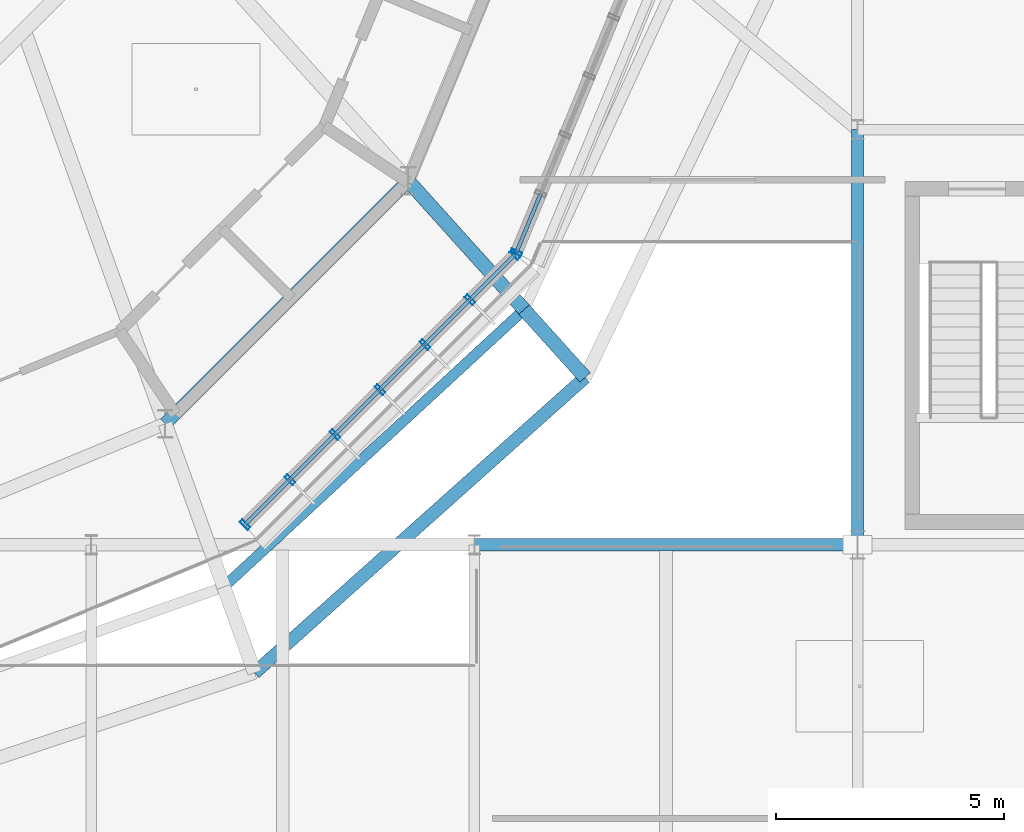
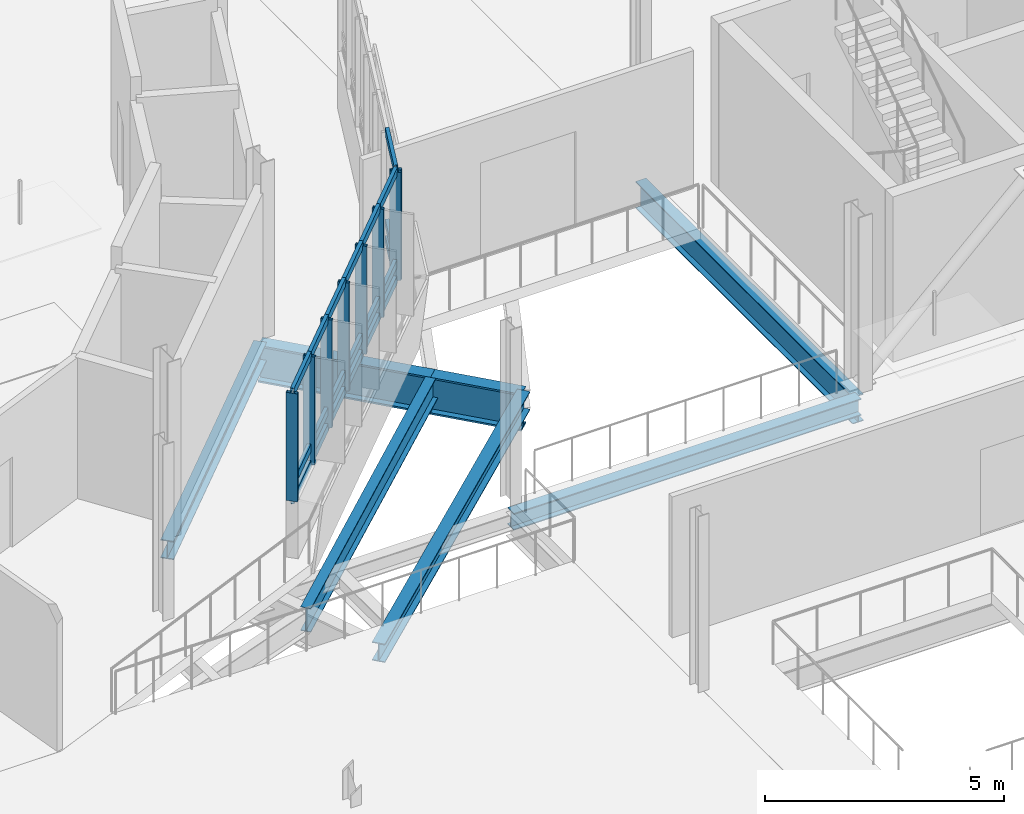
# One storey, part 31 of 139: 29 members, 7 beams, 2 elements without a shape of their own.
"""IFC4 building model written with IfcOpenShell, lengths in metres."""

from ifc_helpers import new_model, si_unit, derived_unit, direction, frame, origin, origin_2d, place, context, subcontext, project, spatial, hollow_rectangle, i_section, extrude, material, layer, layer_set, material_profile, profile_set, type_object, element, aggregate, save


model = new_model("IFC4")

# Units and contexts
model_context = context("Model", 3, precision=1e-05, world=origin(), true_north=direction((0.0, 1.0)))
body_context = subcontext(model_context, "Body", "Model", "MODEL_VIEW")
ifc_project = project(units=[si_unit("LENGTHUNIT", "METRE"), si_unit("AREAUNIT", "SQUARE_METRE"), si_unit("VOLUMEUNIT", "CUBIC_METRE"), si_unit("PLANEANGLEUNIT", "RADIAN"), si_unit("MASSUNIT", "GRAM", prefix="KILO"), derived_unit("THERMALTRANSMITTANCEUNIT", [(si_unit("MASSUNIT", "GRAM", prefix="KILO"), 1), (si_unit("TIMEUNIT", "SECOND"), -3), (si_unit("THERMODYNAMICTEMPERATUREUNIT", "KELVIN"), -1)])], contexts=[model_context])

# Site, building, storey
site_placement = place(None, origin())
site = spatial("IfcSite", under=ifc_project, at=site_placement, CompositionType="ELEMENT")
building_placement = place(site_placement, origin())
building = spatial("IfcBuilding", under=site, at=building_placement, Name="Makaiwela Harbour Ferry Terminal", CompositionType="ELEMENT")
storey_placement = place(building_placement, frame((0.0, 0.0, 5.10009765625)))
storey = spatial("IfcBuildingStorey", under=building, at=storey_placement, Name="L01", CompositionType="ELEMENT", Elevation=5.10009765625)

# Curtain wall, members
ifc_material_1 = material(Name="Marine anodised aluminium 6063-T6", Category="aluminium")
ifc_layer = layer(ifc_material_1, 0.199951171875)
ifc_layer_set = layer_set([ifc_layer], Name="Marine anodised aluminium 6063-T6")
curtain_wall_type = type_object("IfcCurtainWallType", Name="ENV-CW-03", PredefinedType="USERDEFINED", material=ifc_layer_set)
curtain_wall_1_placement = place(storey_placement, origin())
curtain_wall_1 = element("IfcCurtainWall", 1, at=curtain_wall_1_placement, inside=storey, type_object=curtain_wall_type, Name="Unitised Curtain Wall CWA-018", ObjectType="UNITIZED CURTAIN WALL", PredefinedType="USERDEFINED")
ifc_material_profile_1 = material_profile(ifc_material_1, hollow_rectangle(XDim=0.0849609375, YDim=0.25, WallThickness=0.0048828125, at=origin_2d()), Name="CWM-250X85")
ifc_profile_set_1 = profile_set([ifc_material_profile_1], Name="Marine anodised aluminium 6063-T6")
member_type_1 = type_object("IfcMemberType", Name="CW-MUL-250", PredefinedType="MULLION", material=ifc_profile_set_1)
member_1_placement = place(storey_placement, frame((49.571533203125, 49.841552734375, 1.47998046875), z_axis=(0.0, 0.0, 1.0), x_axis=(0.707106781187, 0.707106781187, 0.0)))
member_1 = element("IfcMember", 2, at=member_1_placement, type_object=member_type_1, Name="Curtain Wall Mullion CWA-018-1", PredefinedType="MULLION", context=body_context, shape_type="SweptSolid", body=[
    extrude(hollow_rectangle(XDim=0.0849609375, YDim=0.25, WallThickness=0.0048828125, at=origin_2d()), origin(), (0.0, 0.0, 1.0), 2.760009765625),
])
member_2_placement = place(storey_placement, frame((50.5576171875, 50.82763671875, 1.47998046875), z_axis=(0.0, 0.0, 1.0), x_axis=(0.707106781187, 0.707106781187, 0.0)))
member_2 = element("IfcMember", 3, at=member_2_placement, type_object=member_type_1, Name="Curtain Wall Mullion CWA-018-2", PredefinedType="MULLION", context=body_context, shape_type="SweptSolid", body=[
    extrude(hollow_rectangle(XDim=0.0849609375, YDim=0.25, WallThickness=0.0048828125, at=origin_2d()), origin(), (0.0, 0.0, 1.0), 2.760009765625),
])
member_3_placement = place(storey_placement, frame((51.543701171875, 51.813720703125, 1.47998046875), z_axis=(0.0, 0.0, 1.0), x_axis=(0.707106781187, 0.707106781187, 0.0)))
member_3 = element("IfcMember", 4, at=member_3_placement, type_object=member_type_1, Name="Curtain Wall Mullion CWA-018-3", PredefinedType="MULLION", context=body_context, shape_type="SweptSolid", body=[
    extrude(hollow_rectangle(XDim=0.0849609375, YDim=0.25, WallThickness=0.0048828125, at=origin_2d()), origin(), (0.0, 0.0, 1.0), 2.760009765625),
])
member_4_placement = place(storey_placement, frame((52.530029296875, 52.800048828125, 1.47998046875), z_axis=(0.0, 0.0, 1.0), x_axis=(0.707106781187, 0.707106781187, 0.0)))
member_4 = element("IfcMember", 5, at=member_4_placement, type_object=member_type_1, Name="Curtain Wall Mullion CWA-018-4", PredefinedType="MULLION", context=body_context, shape_type="SweptSolid", body=[
    extrude(hollow_rectangle(XDim=0.0849609375, YDim=0.25, WallThickness=0.0048828125, at=origin_2d()), origin(), (0.0, 0.0, 1.0), 2.760009765625),
])
member_5_placement = place(storey_placement, frame((53.51611328125, 53.7861328125, 1.47998046875), z_axis=(0.0, 0.0, 1.0), x_axis=(0.707106781187, 0.707106781187, 0.0)))
member_5 = element("IfcMember", 6, at=member_5_placement, type_object=member_type_1, Name="Curtain Wall Mullion CWA-018-5", PredefinedType="MULLION", context=body_context, shape_type="SweptSolid", body=[
    extrude(hollow_rectangle(XDim=0.0849609375, YDim=0.25, WallThickness=0.0048828125, at=origin_2d()), origin(), (0.0, 0.0, 1.0), 2.760009765625),
])
member_6_placement = place(storey_placement, frame((54.502197265625, 54.772216796875, 1.47998046875), z_axis=(0.0, 0.0, 1.0), x_axis=(0.707106781187, 0.707106781187, 0.0)))
member_6 = element("IfcMember", 7, at=member_6_placement, type_object=member_type_1, Name="Curtain Wall Mullion CWA-018-6", PredefinedType="MULLION", context=body_context, shape_type="SweptSolid", body=[
    extrude(hollow_rectangle(XDim=0.0849609375, YDim=0.25, WallThickness=0.0048828125, at=origin_2d()), origin(), (0.0, 0.0, 1.0), 2.760009765625),
])
member_7_placement = place(storey_placement, frame((55.488525390625, 55.758544921875, 1.47998046875), z_axis=(0.0, 0.0, 1.0), x_axis=(0.707106781187, 0.707106781187, 0.0)))
member_7 = element("IfcMember", 8, at=member_7_placement, type_object=member_type_1, Name="Curtain Wall Mullion CWA-018-7", PredefinedType="MULLION", context=body_context, shape_type="SweptSolid", body=[
    extrude(hollow_rectangle(XDim=0.0849609375, YDim=0.25, WallThickness=0.0048828125, at=origin_2d()), origin(), (0.0, 0.0, 1.0), 2.760009765625),
])

# Curtain wall, member
curtain_wall_2_placement = place(storey_placement, origin())
curtain_wall_2 = element("IfcCurtainWall", 9, at=curtain_wall_2_placement, inside=storey, type_object=curtain_wall_type, Name="Unitised Curtain Wall CWA-019", ObjectType="UNITIZED CURTAIN WALL", PredefinedType="USERDEFINED")
member_8_placement = place(storey_placement, frame((55.521240234375, 55.807373046875, 1.47998046875), z_axis=(0.0, 0.0, 1.0), x_axis=(0.382683432365, 0.923879532511, 0.0)))
member_8 = element("IfcMember", 10, at=member_8_placement, type_object=member_type_1, Name="Curtain Wall Mullion CWA-019-1", PredefinedType="MULLION", context=body_context, shape_type="SweptSolid", body=[
    extrude(hollow_rectangle(XDim=0.0849609375, YDim=0.25, WallThickness=0.0048828125, at=origin_2d()), origin(), (0.0, 0.0, 1.0), 2.760009765625),
])

# Member
ifc_material_profile_2 = material_profile(ifc_material_1, hollow_rectangle(XDim=0.0849609375, YDim=0.199951171875, WallThickness=0.0048828125, at=origin_2d()), Name="CWT-200X85")
ifc_profile_set_2 = profile_set([ifc_material_profile_2], Name="Marine anodised aluminium 6063-T6")
member_type_2 = type_object("IfcMemberType", Name="CW-TRN-200", PredefinedType="USERDEFINED", material=ifc_profile_set_2)
member_9_placement = place(storey_placement, frame((49.571533203125, 49.841552734375, 1.47998046875), z_axis=(0.707106781187, 0.707106781187, 0.0), x_axis=(-0.707106781187, 0.707106781187, 0.0)))
member_9 = element("IfcMember", 11, at=member_9_placement, type_object=member_type_2, Name="Curtain Wall Transom CWA-018-1-1", ObjectType="TRANSOM", PredefinedType="USERDEFINED", context=body_context, shape_type="SweptSolid", body=[
    extrude(hollow_rectangle(XDim=0.0849609375, YDim=0.199951171875, WallThickness=0.0048828125, at=origin_2d()), origin(), (0.0, 0.0, 1.0), 1.39453125),
])

member_10_placement = place(storey_placement, frame((49.571533203125, 49.841552734375, 1.89990234375), z_axis=(0.707106781187, 0.707106781187, 0.0), x_axis=(-0.707106781187, 0.707106781187, 0.0)))
member_10 = element("IfcMember", 12, at=member_10_placement, type_object=member_type_2, Name="Curtain Wall Transom CWA-018-1-2", ObjectType="TRANSOM", PredefinedType="USERDEFINED", context=body_context, shape_type="SweptSolid", body=[
    extrude(hollow_rectangle(XDim=0.0849609375, YDim=0.199951171875, WallThickness=0.0048828125, at=origin_2d()), origin(), (0.0, 0.0, 1.0), 1.39453125),
])

member_11_placement = place(storey_placement, frame((49.571533203125, 49.841552734375, 4.239990234375), z_axis=(0.707106781187, 0.707106781187, 0.0), x_axis=(-0.707106781187, 0.707106781187, 0.0)))
member_11 = element("IfcMember", 13, at=member_11_placement, type_object=member_type_2, Name="Curtain Wall Transom CWA-018-1-3", ObjectType="TRANSOM", PredefinedType="USERDEFINED", context=body_context, shape_type="SweptSolid", body=[
    extrude(hollow_rectangle(XDim=0.0849609375, YDim=0.199951171875, WallThickness=0.0048828125, at=origin_2d()), origin(), (0.0, 0.0, 1.0), 1.39453125),
])

member_12_placement = place(storey_placement, frame((50.5576171875, 50.82763671875, 1.47998046875), z_axis=(0.707106781187, 0.707106781187, 0.0), x_axis=(-0.707106781187, 0.707106781187, 0.0)))
member_12 = element("IfcMember", 14, at=member_12_placement, type_object=member_type_2, Name="Curtain Wall Transom CWA-018-2-1", ObjectType="TRANSOM", PredefinedType="USERDEFINED", context=body_context, shape_type="SweptSolid", body=[
    extrude(hollow_rectangle(XDim=0.0849609375, YDim=0.199951171875, WallThickness=0.0048828125, at=origin_2d()), origin(), (0.0, 0.0, 1.0), 1.39453125),
])

member_13_placement = place(storey_placement, frame((50.5576171875, 50.82763671875, 1.89990234375), z_axis=(0.707106781187, 0.707106781187, 0.0), x_axis=(-0.707106781187, 0.707106781187, 0.0)))
member_13 = element("IfcMember", 15, at=member_13_placement, type_object=member_type_2, Name="Curtain Wall Transom CWA-018-2-2", ObjectType="TRANSOM", PredefinedType="USERDEFINED", context=body_context, shape_type="SweptSolid", body=[
    extrude(hollow_rectangle(XDim=0.0849609375, YDim=0.199951171875, WallThickness=0.0048828125, at=origin_2d()), origin(), (0.0, 0.0, 1.0), 1.39453125),
])

member_14_placement = place(storey_placement, frame((50.5576171875, 50.82763671875, 4.239990234375), z_axis=(0.707106781187, 0.707106781187, 0.0), x_axis=(-0.707106781187, 0.707106781187, 0.0)))
member_14 = element("IfcMember", 16, at=member_14_placement, type_object=member_type_2, Name="Curtain Wall Transom CWA-018-2-3", ObjectType="TRANSOM", PredefinedType="USERDEFINED", context=body_context, shape_type="SweptSolid", body=[
    extrude(hollow_rectangle(XDim=0.0849609375, YDim=0.199951171875, WallThickness=0.0048828125, at=origin_2d()), origin(), (0.0, 0.0, 1.0), 1.39453125),
])

member_15_placement = place(storey_placement, frame((51.543701171875, 51.813720703125, 1.47998046875), z_axis=(0.707106781187, 0.707106781187, 0.0), x_axis=(-0.707106781187, 0.707106781187, 0.0)))
member_15 = element("IfcMember", 17, at=member_15_placement, type_object=member_type_2, Name="Curtain Wall Transom CWA-018-3-1", ObjectType="TRANSOM", PredefinedType="USERDEFINED", context=body_context, shape_type="SweptSolid", body=[
    extrude(hollow_rectangle(XDim=0.0849609375, YDim=0.199951171875, WallThickness=0.0048828125, at=origin_2d()), origin(), (0.0, 0.0, 1.0), 1.394775390625),
])

member_16_placement = place(storey_placement, frame((51.543701171875, 51.813720703125, 1.89990234375), z_axis=(0.707106781187, 0.707106781187, 0.0), x_axis=(-0.707106781187, 0.707106781187, 0.0)))
member_16 = element("IfcMember", 18, at=member_16_placement, type_object=member_type_2, Name="Curtain Wall Transom CWA-018-3-2", ObjectType="TRANSOM", PredefinedType="USERDEFINED", context=body_context, shape_type="SweptSolid", body=[
    extrude(hollow_rectangle(XDim=0.0849609375, YDim=0.199951171875, WallThickness=0.0048828125, at=origin_2d()), origin(), (0.0, 0.0, 1.0), 1.394775390625),
])

member_17_placement = place(storey_placement, frame((51.543701171875, 51.813720703125, 4.239990234375), z_axis=(0.707106781187, 0.707106781187, 0.0), x_axis=(-0.707106781187, 0.707106781187, 0.0)))
member_17 = element("IfcMember", 19, at=member_17_placement, type_object=member_type_2, Name="Curtain Wall Transom CWA-018-3-3", ObjectType="TRANSOM", PredefinedType="USERDEFINED", context=body_context, shape_type="SweptSolid", body=[
    extrude(hollow_rectangle(XDim=0.0849609375, YDim=0.199951171875, WallThickness=0.0048828125, at=origin_2d()), origin(), (0.0, 0.0, 1.0), 1.394775390625),
])

member_18_placement = place(storey_placement, frame((52.530029296875, 52.800048828125, 1.47998046875), z_axis=(0.707106781187, 0.707106781187, 0.0), x_axis=(-0.707106781187, 0.707106781187, 0.0)))
member_18 = element("IfcMember", 20, at=member_18_placement, type_object=member_type_2, Name="Curtain Wall Transom CWA-018-4-1", ObjectType="TRANSOM", PredefinedType="USERDEFINED", context=body_context, shape_type="SweptSolid", body=[
    extrude(hollow_rectangle(XDim=0.0849609375, YDim=0.199951171875, WallThickness=0.0048828125, at=origin_2d()), origin(), (0.0, 0.0, 1.0), 1.39453125),
])

member_19_placement = place(storey_placement, frame((52.530029296875, 52.800048828125, 1.89990234375), z_axis=(0.707106781187, 0.707106781187, 0.0), x_axis=(-0.707106781187, 0.707106781187, 0.0)))
member_19 = element("IfcMember", 21, at=member_19_placement, type_object=member_type_2, Name="Curtain Wall Transom CWA-018-4-2", ObjectType="TRANSOM", PredefinedType="USERDEFINED", context=body_context, shape_type="SweptSolid", body=[
    extrude(hollow_rectangle(XDim=0.0849609375, YDim=0.199951171875, WallThickness=0.0048828125, at=origin_2d()), origin(), (0.0, 0.0, 1.0), 1.39453125),
])

member_20_placement = place(storey_placement, frame((52.530029296875, 52.800048828125, 4.239990234375), z_axis=(0.707106781187, 0.707106781187, 0.0), x_axis=(-0.707106781187, 0.707106781187, 0.0)))
member_20 = element("IfcMember", 22, at=member_20_placement, type_object=member_type_2, Name="Curtain Wall Transom CWA-018-4-3", ObjectType="TRANSOM", PredefinedType="USERDEFINED", context=body_context, shape_type="SweptSolid", body=[
    extrude(hollow_rectangle(XDim=0.0849609375, YDim=0.199951171875, WallThickness=0.0048828125, at=origin_2d()), origin(), (0.0, 0.0, 1.0), 1.39453125),
])

member_21_placement = place(storey_placement, frame((53.51611328125, 53.7861328125, 1.47998046875), z_axis=(0.707106781187, 0.707106781187, 0.0), x_axis=(-0.707106781187, 0.707106781187, 0.0)))
member_21 = element("IfcMember", 23, at=member_21_placement, type_object=member_type_2, Name="Curtain Wall Transom CWA-018-5-1", ObjectType="TRANSOM", PredefinedType="USERDEFINED", context=body_context, shape_type="SweptSolid", body=[
    extrude(hollow_rectangle(XDim=0.0849609375, YDim=0.199951171875, WallThickness=0.0048828125, at=origin_2d()), origin(), (0.0, 0.0, 1.0), 1.39453125),
])

member_22_placement = place(storey_placement, frame((53.51611328125, 53.7861328125, 1.89990234375), z_axis=(0.707106781187, 0.707106781187, 0.0), x_axis=(-0.707106781187, 0.707106781187, 0.0)))
member_22 = element("IfcMember", 24, at=member_22_placement, type_object=member_type_2, Name="Curtain Wall Transom CWA-018-5-2", ObjectType="TRANSOM", PredefinedType="USERDEFINED", context=body_context, shape_type="SweptSolid", body=[
    extrude(hollow_rectangle(XDim=0.0849609375, YDim=0.199951171875, WallThickness=0.0048828125, at=origin_2d()), origin(), (0.0, 0.0, 1.0), 1.39453125),
])

member_23_placement = place(storey_placement, frame((53.51611328125, 53.7861328125, 4.239990234375), z_axis=(0.707106781187, 0.707106781187, 0.0), x_axis=(-0.707106781187, 0.707106781187, 0.0)))
member_23 = element("IfcMember", 25, at=member_23_placement, type_object=member_type_2, Name="Curtain Wall Transom CWA-018-5-3", ObjectType="TRANSOM", PredefinedType="USERDEFINED", context=body_context, shape_type="SweptSolid", body=[
    extrude(hollow_rectangle(XDim=0.0849609375, YDim=0.199951171875, WallThickness=0.0048828125, at=origin_2d()), origin(), (0.0, 0.0, 1.0), 1.39453125),
])

member_24_placement = place(storey_placement, frame((54.502197265625, 54.772216796875, 1.47998046875), z_axis=(0.707106781187, 0.707106781187, 0.0), x_axis=(-0.707106781187, 0.707106781187, 0.0)))
member_24 = element("IfcMember", 26, at=member_24_placement, type_object=member_type_2, Name="Curtain Wall Transom CWA-018-6-1", ObjectType="TRANSOM", PredefinedType="USERDEFINED", context=body_context, shape_type="SweptSolid", body=[
    extrude(hollow_rectangle(XDim=0.0849609375, YDim=0.199951171875, WallThickness=0.0048828125, at=origin_2d()), origin(), (0.0, 0.0, 1.0), 1.394775390625),
])

member_25_placement = place(storey_placement, frame((54.502197265625, 54.772216796875, 1.89990234375), z_axis=(0.707106781187, 0.707106781187, 0.0), x_axis=(-0.707106781187, 0.707106781187, 0.0)))
member_25 = element("IfcMember", 27, at=member_25_placement, type_object=member_type_2, Name="Curtain Wall Transom CWA-018-6-2", ObjectType="TRANSOM", PredefinedType="USERDEFINED", context=body_context, shape_type="SweptSolid", body=[
    extrude(hollow_rectangle(XDim=0.0849609375, YDim=0.199951171875, WallThickness=0.0048828125, at=origin_2d()), origin(), (0.0, 0.0, 1.0), 1.394775390625),
])

member_26_placement = place(storey_placement, frame((54.502197265625, 54.772216796875, 4.239990234375), z_axis=(0.707106781187, 0.707106781187, 0.0), x_axis=(-0.707106781187, 0.707106781187, 0.0)))
member_26 = element("IfcMember", 28, at=member_26_placement, type_object=member_type_2, Name="Curtain Wall Transom CWA-018-6-3", ObjectType="TRANSOM", PredefinedType="USERDEFINED", context=body_context, shape_type="SweptSolid", body=[
    extrude(hollow_rectangle(XDim=0.0849609375, YDim=0.199951171875, WallThickness=0.0048828125, at=origin_2d()), origin(), (0.0, 0.0, 1.0), 1.394775390625),
])

aggregate(curtain_wall_1, [member_1, member_2, member_3, member_4, member_5, member_6, member_7, member_9, member_10, member_11, member_12, member_13, member_14, member_15, member_16, member_17, member_18, member_19, member_20, member_21, member_22, member_23, member_24, member_25, member_26])

member_27_placement = place(storey_placement, frame((55.521240234375, 55.807373046875, 1.47998046875), z_axis=(0.382650683858, 0.923893096707, 0.0), x_axis=(-0.923893096707, 0.382650683858, 0.0)))
member_27 = element("IfcMember", 29, at=member_27_placement, type_object=member_type_2, Name="Curtain Wall Transom CWA-019-1-1", ObjectType="TRANSOM", PredefinedType="USERDEFINED", context=body_context, shape_type="SweptSolid", body=[
    extrude(hollow_rectangle(XDim=0.0849609375, YDim=0.199951171875, WallThickness=0.0048828125, at=origin_2d()), origin(), (0.0, 0.0, 1.0), 1.394775390625),
])

member_28_placement = place(storey_placement, frame((55.521240234375, 55.807373046875, 1.89990234375), z_axis=(0.382650683858, 0.923893096707, 0.0), x_axis=(-0.923893096707, 0.382650683858, 0.0)))
member_28 = element("IfcMember", 30, at=member_28_placement, type_object=member_type_2, Name="Curtain Wall Transom CWA-019-1-2", ObjectType="TRANSOM", PredefinedType="USERDEFINED", context=body_context, shape_type="SweptSolid", body=[
    extrude(hollow_rectangle(XDim=0.0849609375, YDim=0.199951171875, WallThickness=0.0048828125, at=origin_2d()), origin(), (0.0, 0.0, 1.0), 1.394775390625),
])

member_29_placement = place(storey_placement, frame((55.521240234375, 55.807373046875, 4.239990234375), z_axis=(0.382650683858, 0.923893096707, 0.0), x_axis=(-0.923893096707, 0.382650683858, 0.0)))
member_29 = element("IfcMember", 31, at=member_29_placement, type_object=member_type_2, Name="Curtain Wall Transom CWA-019-1-3", ObjectType="TRANSOM", PredefinedType="USERDEFINED", context=body_context, shape_type="SweptSolid", body=[
    extrude(hollow_rectangle(XDim=0.0849609375, YDim=0.199951171875, WallThickness=0.0048828125, at=origin_2d()), origin(), (0.0, 0.0, 1.0), 1.394775390625),
])

aggregate(curtain_wall_2, [member_8, member_27, member_28, member_29])

# Beams
ifc_material_2 = material(Name="Steel ASTM A992 Grade 50", Category="steel")
ifc_material_profile_3 = material_profile(ifc_material_2, i_section(OverallWidth=0.22900390625, OverallDepth=0.612060546875, WebThickness=0.011962890625, FlangeThickness=0.01953125, at=origin_2d()), Name="W24X84")
ifc_profile_set_3 = profile_set([ifc_material_profile_3], Name="Steel ASTM A992 Grade 50")
beam_type_1 = type_object("IfcBeamType", Name="STR-GRD-W24X84", PredefinedType="USERDEFINED", material=ifc_profile_set_3)
beam_1_placement = place(storey_placement, frame((49.107421875, 48.476318359375, -0.586181640625), z_axis=(0.734745985858, 0.678342344444, 0.0), x_axis=(-0.678342344444, 0.734745985858, 0.0)))
element("IfcBeam", 32, at=beam_1_placement, inside=storey, type_object=beam_type_1, Name="Drum overhang tie girder 100", ObjectType="GIRDER", PredefinedType="USERDEFINED", context=body_context, shape_type="SweptSolid", body=[
    extrude(i_section(OverallWidth=0.22900390625, OverallDepth=0.612060546875, WebThickness=0.011962890625, FlangeThickness=0.01953125, at=origin_2d()), origin(), (0.0, 0.0, 1.0), 8.9599609375),
])
ifc_material_profile_4 = material_profile(ifc_material_2, i_section(OverallWidth=0.256103515625, OverallDepth=0.693115234375, WebThickness=0.014404296875, FlangeThickness=0.023681640625, at=origin_2d()), Name="W27X114")
ifc_profile_set_4 = profile_set([ifc_material_profile_4], Name="Steel ASTM A992 Grade 50")
beam_type_2 = type_object("IfcBeamType", Name="STR-GRD-W27X114", PredefinedType="USERDEFINED", material=ifc_profile_set_4)
beam_2_placement = place(storey_placement, frame((63.0, 49.39990234375, -0.626708984375), z_axis=(0.0, 1.0, 0.0), x_axis=(-1.0, 0.0, 0.0)))
element("IfcBeam", 33, at=beam_2_placement, inside=storey, type_object=beam_type_2, Name="Primary Y girder 928", ObjectType="GIRDER", PredefinedType="USERDEFINED", context=body_context, shape_type="SweptSolid", body=[
    extrude(i_section(OverallWidth=0.256103515625, OverallDepth=0.693115234375, WebThickness=0.014404296875, FlangeThickness=0.023681640625, at=origin_2d()), origin(), (0.0, 0.0, 1.0), 9.10009765625),
])
ifc_material_profile_5 = material_profile(ifc_material_2, i_section(OverallWidth=0.31005859375, OverallDepth=0.949951171875, WebThickness=0.0244140625, FlangeThickness=0.0439453125, at=origin_2d()), Name="W36X256")
ifc_profile_set_5 = profile_set([ifc_material_profile_5], Name="Steel ASTM A992 Grade 50")
beam_type_3 = type_object("IfcBeamType", Name="STR-GRD-W36X256", PredefinedType="USERDEFINED", material=ifc_profile_set_5)
beam_3_placement = place(storey_placement, frame((53.1474609375, 57.37744140625, -0.755126953125), z_axis=(0.669298341285, -0.742993761988, 0.0), x_axis=(0.742993761988, 0.669298341285, 0.0)))
element("IfcBeam", 34, at=beam_3_placement, inside=storey, type_object=beam_type_3, Name="Drum radial overhang 73", ObjectType="GIRDER", PredefinedType="USERDEFINED", context=body_context, shape_type="SweptSolid", body=[
    extrude(i_section(OverallWidth=0.31005859375, OverallDepth=0.949951171875, WebThickness=0.0244140625, FlangeThickness=0.0439453125, at=origin_2d()), origin(), (0.0, 0.0, 1.0), 3.7998046875),
])
beam_4_placement = place(storey_placement, frame((55.690673828125, 54.55419921875, -0.755126953125), z_axis=(0.669281634804, -0.743008811061, 0.0), x_axis=(0.743008811061, 0.669281634804, 0.0)))
element("IfcBeam", 35, at=beam_4_placement, inside=storey, type_object=beam_type_3, Name="Drum overhang radial girder 74", ObjectType="GIRDER", PredefinedType="USERDEFINED", context=body_context, shape_type="SweptSolid", body=[
    extrude(i_section(OverallWidth=0.31005859375, OverallDepth=0.949951171875, WebThickness=0.0244140625, FlangeThickness=0.0439453125, at=origin_2d()), origin(), (0.0, 0.0, 1.0), 2.0),
])
ifc_material_profile_6 = material_profile(ifc_material_2, i_section(OverallWidth=0.264892578125, OverallDepth=0.430908203125, WebThickness=0.014892578125, FlangeThickness=0.02490234375, at=origin_2d()), Name="W16X100")
ifc_profile_set_6 = profile_set([ifc_material_profile_6], Name="Steel ASTM A992 Grade 50")
beam_type_4 = type_object("IfcBeamType", Name="STR-SPN-W16X100", PredefinedType="SPANDREL", material=ifc_profile_set_6)
beam_5_placement = place(storey_placement, frame((54.60009765625, 49.39990234375, -0.49560546875), z_axis=(1.0, 0.0, 0.0), x_axis=(0.0, 1.0, 0.0)))
element("IfcBeam", 36, at=beam_5_placement, inside=storey, type_object=beam_type_4, Name="Primary X girder 808", PredefinedType="SPANDREL", context=body_context, shape_type="SweptSolid", body=[
    extrude(i_section(OverallWidth=0.264892578125, OverallDepth=0.430908203125, WebThickness=0.014892578125, FlangeThickness=0.02490234375, at=origin_2d()), origin(), (0.0, 0.0, 1.0), 8.39990234375),
])
ifc_material_profile_7 = material_profile(ifc_material_2, i_section(OverallWidth=0.283935546875, OverallDepth=0.47607421875, WebThickness=0.014892578125, FlangeThickness=0.02392578125, at=origin_2d()), Name="W18X106")
ifc_profile_set_7 = profile_set([ifc_material_profile_7], Name="Steel ASTM A992 Grade 50")
beam_type_5 = type_object("IfcBeamType", Name="STR-SPN-W18X106", PredefinedType="SPANDREL", material=ifc_profile_set_7)
beam_6_placement = place(storey_placement, frame((47.822509765625, 52.052490234375, -0.51806640625), z_axis=(0.707106781187, 0.707106781187, 0.0), x_axis=(-0.707106781187, 0.707106781187, 0.0)))
element("IfcBeam", 37, at=beam_6_placement, inside=storey, type_object=beam_type_5, Name="Drum column ring girder 25", PredefinedType="SPANDREL", context=body_context, shape_type="SweptSolid", body=[
    extrude(i_section(OverallWidth=0.283935546875, OverallDepth=0.47607421875, WebThickness=0.014892578125, FlangeThickness=0.02392578125, at=origin_2d()), origin(), (0.0, 0.0, 1.0), 7.530517578125),
])
beam_7_placement = place(storey_placement, frame((49.783447265625, 46.59423828125, -0.51806640625), z_axis=(0.745714267637, 0.666265886146, 0.0), x_axis=(-0.666265886146, 0.745714267637, 0.0)))
element("IfcBeam", 38, at=beam_7_placement, inside=storey, type_object=beam_type_5, Name="Drum perimeter spandrel 113", PredefinedType="SPANDREL", context=body_context, shape_type="SweptSolid", body=[
    extrude(i_section(OverallWidth=0.283935546875, OverallDepth=0.47607421875, WebThickness=0.014892578125, FlangeThickness=0.02392578125, at=origin_2d()), origin(), (0.0, 0.0, 1.0), 9.716552734375),
])

save(model, "model.ifc")
